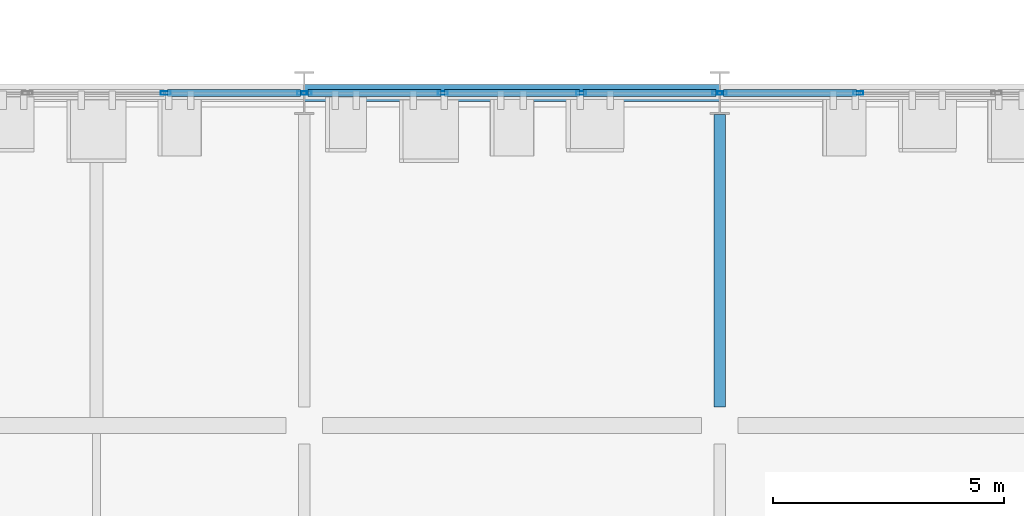
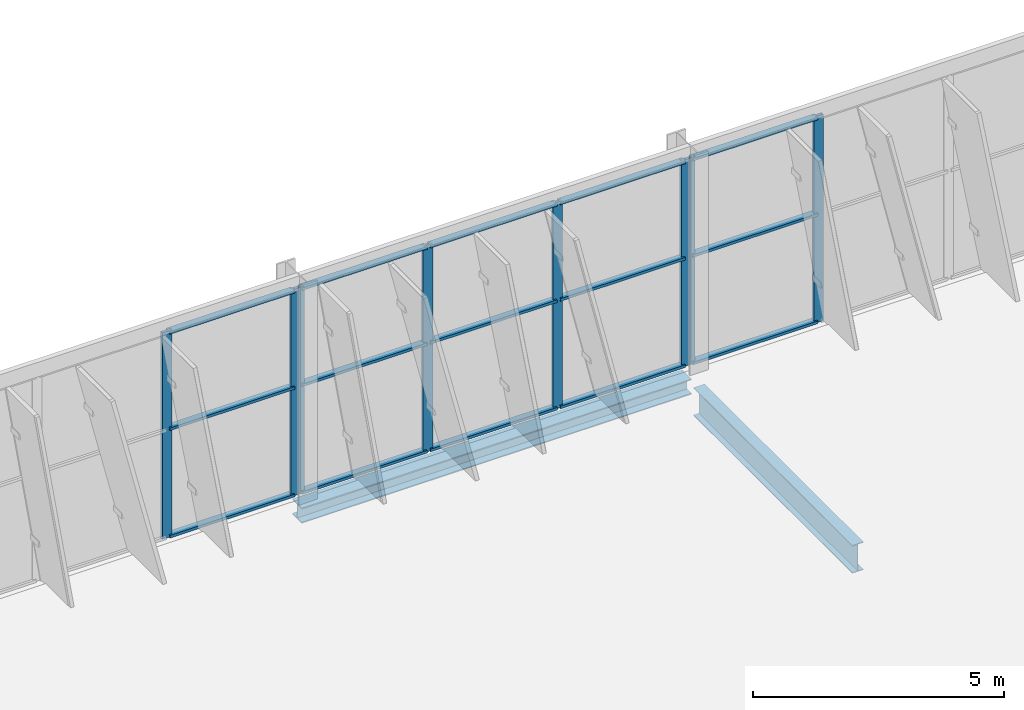
# One storey, part 29 of 189: 23 members, 2 beams, 3 elements without a shape of their own.
"""IFC4 building model written with IfcOpenShell, lengths in metres."""

from ifc_helpers import new_model, si_unit, direction, frame, origin, origin_2d, place, context, subcontext, project, spatial, hollow_rectangle, i_section, extrude, material, layer, layer_set, material_profile, profile_set, type_object, element, aggregate, save


model = new_model("IFC4")

# Units and contexts
model_context = context("Model", 3, precision=1e-05, world=origin(), true_north=direction((0.0, 1.0)))
body_context = subcontext(model_context, "Body", "Model", "MODEL_VIEW")
ifc_project = project(units=[si_unit("LENGTHUNIT", "METRE"), si_unit("AREAUNIT", "SQUARE_METRE"), si_unit("VOLUMEUNIT", "CUBIC_METRE"), si_unit("PLANEANGLEUNIT", "RADIAN"), si_unit("MASSUNIT", "GRAM", prefix="KILO")], contexts=[model_context])

# Site, building, storey
site_placement = place(None, origin())
site = spatial("IfcSite", under=ifc_project, at=site_placement, CompositionType="ELEMENT")
building_placement = place(site_placement, origin())
building = spatial("IfcBuilding", under=site, at=building_placement, Name="Celestram Park Convention Centre", CompositionType="ELEMENT")
storey_placement = place(building_placement, frame((0.0, 0.0, 5.39990234375)))
storey = spatial("IfcBuildingStorey", under=building, at=storey_placement, Name="L01", CompositionType="ELEMENT", Elevation=5.39990234375)

# Curtain wall, members
ifc_material_1 = material(Name="Anodised Aluminium Alloy 6063-T6", Category="aluminium")
ifc_layer = layer(ifc_material_1, 0.179931640625)
ifc_layer_set = layer_set([ifc_layer], Name="Anodised Aluminium Alloy 6063-T6")
curtain_wall_type = type_object("IfcCurtainWallType", Name="ARC-CW-898X503", PredefinedType="NOTDEFINED", material=ifc_layer_set)
curtain_wall_1_placement = place(storey_placement, origin())
curtain_wall_1 = element("IfcCurtainWall", 1, at=curtain_wall_1_placement, inside=storey, type_object=curtain_wall_type, Name="Unitised curtain wall CU-L01-128", PredefinedType="NOTDEFINED")
ifc_material_profile_1 = material_profile(ifc_material_1, hollow_rectangle(XDim=0.074951171875, YDim=0.219970703125, WallThickness=0.00390625, at=origin_2d()), Name="ALU75X220X4")
ifc_profile_set_1 = profile_set([ifc_material_profile_1], Name="Anodised Aluminium Alloy 6063-T6")
member_type_1 = type_object("IfcMemberType", Name="ARC-CWM-180", PredefinedType="MULLION", material=ifc_profile_set_1)
member_1_placement = place(storey_placement, frame((111.00341796875, 21.60009765625, 0.0), z_axis=(0.0, 0.0, 1.0), x_axis=(0.0, -1.0, 0.0)))
member_1 = element("IfcMember", 2, at=member_1_placement, type_object=member_type_1, Name="CW-89X50 mullion 3", PredefinedType="MULLION", context=body_context, shape_type="SweptSolid", body=[
    extrude(hollow_rectangle(XDim=0.074951171875, YDim=0.219970703125, WallThickness=0.00390625, at=origin_2d()), origin(), (0.0, 0.0, 1.0), 5.027099609375),
])
member_2_placement = place(storey_placement, frame((108.047607421875, 21.60009765625, 0.0), z_axis=(0.0, 0.0, 1.0), x_axis=(0.0, -1.0, 0.0)))
member_2 = element("IfcMember", 3, at=member_2_placement, type_object=member_type_1, Name="CW-89X50 mullion 4", PredefinedType="MULLION", context=body_context, shape_type="SweptSolid", body=[
    extrude(hollow_rectangle(XDim=0.074951171875, YDim=0.219970703125, WallThickness=0.00390625, at=origin_2d()), origin(), (0.0, 0.0, 1.0), 5.027099609375),
])

curtain_wall_2_placement = place(storey_placement, origin())
curtain_wall_2 = element("IfcCurtainWall", 4, at=curtain_wall_2_placement, inside=storey, type_object=curtain_wall_type, Name="Unitised curtain wall CU-L01-129", PredefinedType="NOTDEFINED")
member_3_placement = place(storey_placement, frame((107.952392578125, 21.60009765625, 0.0), z_axis=(0.0, 0.0, 1.0), x_axis=(0.0, -1.0, 0.0)))
member_3 = element("IfcMember", 5, at=member_3_placement, type_object=member_type_1, Name="CW-89X50 mullion 1", PredefinedType="MULLION", context=body_context, shape_type="SweptSolid", body=[
    extrude(hollow_rectangle(XDim=0.074951171875, YDim=0.219970703125, WallThickness=0.00390625, at=origin_2d()), origin(), (0.0, 0.0, 1.0), 5.027099609375),
])
member_4_placement = place(storey_placement, frame((104.99658203125, 21.60009765625, 0.0), z_axis=(0.0, 0.0, 1.0), x_axis=(0.0, -1.0, 0.0)))
member_4 = element("IfcMember", 6, at=member_4_placement, type_object=member_type_1, Name="CW-89X50 mullion 2", PredefinedType="MULLION", context=body_context, shape_type="SweptSolid", body=[
    extrude(hollow_rectangle(XDim=0.074951171875, YDim=0.219970703125, WallThickness=0.00390625, at=origin_2d()), origin(), (0.0, 0.0, 1.0), 5.027099609375),
])
member_5_placement = place(storey_placement, frame((102.00341796875, 21.60009765625, 0.0), z_axis=(0.0, 0.0, 1.0), x_axis=(0.0, -1.0, 0.0)))
member_5 = element("IfcMember", 7, at=member_5_placement, type_object=member_type_1, Name="CW-89X50 mullion 3", PredefinedType="MULLION", context=body_context, shape_type="SweptSolid", body=[
    extrude(hollow_rectangle(XDim=0.074951171875, YDim=0.219970703125, WallThickness=0.00390625, at=origin_2d()), origin(), (0.0, 0.0, 1.0), 5.027099609375),
])
member_6_placement = place(storey_placement, frame((99.047607421875, 21.60009765625, 0.0), z_axis=(0.0, 0.0, 1.0), x_axis=(0.0, -1.0, 0.0)))
member_6 = element("IfcMember", 8, at=member_6_placement, type_object=member_type_1, Name="CW-89X50 mullion 4", PredefinedType="MULLION", context=body_context, shape_type="SweptSolid", body=[
    extrude(hollow_rectangle(XDim=0.074951171875, YDim=0.219970703125, WallThickness=0.00390625, at=origin_2d()), origin(), (0.0, 0.0, 1.0), 5.027099609375),
])

curtain_wall_3_placement = place(storey_placement, origin())
curtain_wall_3 = element("IfcCurtainWall", 9, at=curtain_wall_3_placement, inside=storey, type_object=curtain_wall_type, Name="Unitised curtain wall CU-L01-130", PredefinedType="NOTDEFINED")
member_7_placement = place(storey_placement, frame((98.952392578125, 21.60009765625, 0.0), z_axis=(0.0, 0.0, 1.0), x_axis=(0.0, -1.0, 0.0)))
member_7 = element("IfcMember", 10, at=member_7_placement, type_object=member_type_1, Name="CW-89X50 mullion 1", PredefinedType="MULLION", context=body_context, shape_type="SweptSolid", body=[
    extrude(hollow_rectangle(XDim=0.074951171875, YDim=0.219970703125, WallThickness=0.00390625, at=origin_2d()), origin(), (0.0, 0.0, 1.0), 5.027099609375),
])
member_8_placement = place(storey_placement, frame((95.99658203125, 21.60009765625, 0.0), z_axis=(0.0, 0.0, 1.0), x_axis=(0.0, -1.0, 0.0)))
member_8 = element("IfcMember", 11, at=member_8_placement, type_object=member_type_1, Name="CW-89X50 mullion 2", PredefinedType="MULLION", context=body_context, shape_type="SweptSolid", body=[
    extrude(hollow_rectangle(XDim=0.074951171875, YDim=0.219970703125, WallThickness=0.00390625, at=origin_2d()), origin(), (0.0, 0.0, 1.0), 5.027099609375),
])

# Member
ifc_material_profile_2 = material_profile(ifc_material_1, hollow_rectangle(XDim=0.14990234375, YDim=0.06494140625, WallThickness=0.0029296875, at=origin_2d()), Name="ALU150X65X3")
ifc_profile_set_2 = profile_set([ifc_material_profile_2], Name="Anodised Aluminium Alloy 6063-T6")
member_type_2 = type_object("IfcMemberType", Name="ARC-CWT-150", PredefinedType="USERDEFINED", material=ifc_profile_set_2)
member_9_placement = place(storey_placement, frame((110.9658203125, 21.60009765625, 0.03271484375), z_axis=(-1.0, 0.0, 0.0), x_axis=(0.0, -1.0, 0.0)))
member_9 = element("IfcMember", 12, at=member_9_placement, type_object=member_type_2, Name="CW-89X50 transom 3.1", ObjectType="TRANSOM", PredefinedType="USERDEFINED", context=body_context, shape_type="SweptSolid", body=[
    extrude(hollow_rectangle(XDim=0.14990234375, YDim=0.06494140625, WallThickness=0.0029296875, at=origin_2d()), origin(), (0.0, 0.0, 1.0), 2.880859375),
])

member_10_placement = place(storey_placement, frame((110.9658203125, 21.60009765625, 2.650146484375), z_axis=(-1.0, 0.0, 0.0), x_axis=(0.0, -1.0, 0.0)))
member_10 = element("IfcMember", 13, at=member_10_placement, type_object=member_type_2, Name="CW-89X50 transom 3.2", ObjectType="TRANSOM", PredefinedType="USERDEFINED", context=body_context, shape_type="SweptSolid", body=[
    extrude(hollow_rectangle(XDim=0.14990234375, YDim=0.06494140625, WallThickness=0.0029296875, at=origin_2d()), origin(), (0.0, 0.0, 1.0), 2.880859375),
])

member_11_placement = place(storey_placement, frame((110.9658203125, 21.60009765625, 4.99462890625), z_axis=(-1.0, 0.0, 0.0), x_axis=(0.0, -1.0, 0.0)))
member_11 = element("IfcMember", 14, at=member_11_placement, type_object=member_type_2, Name="CW-89X50 transom 3.3", ObjectType="TRANSOM", PredefinedType="USERDEFINED", context=body_context, shape_type="SweptSolid", body=[
    extrude(hollow_rectangle(XDim=0.14990234375, YDim=0.06494140625, WallThickness=0.0029296875, at=origin_2d()), origin(), (0.0, 0.0, 1.0), 2.880859375),
])

aggregate(curtain_wall_1, [member_1, member_2, member_9, member_10, member_11])

member_12_placement = place(storey_placement, frame((107.9150390625, 21.60009765625, 0.03271484375), z_axis=(-1.0, 0.0, 0.0), x_axis=(0.0, -1.0, 0.0)))
member_12 = element("IfcMember", 15, at=member_12_placement, type_object=member_type_2, Name="CW-89X50 transom 1.1", ObjectType="TRANSOM", PredefinedType="USERDEFINED", context=body_context, shape_type="SweptSolid", body=[
    extrude(hollow_rectangle(XDim=0.14990234375, YDim=0.06494140625, WallThickness=0.0029296875, at=origin_2d()), origin(), (0.0, 0.0, 1.0), 2.880859375),
])

member_13_placement = place(storey_placement, frame((107.9150390625, 21.60009765625, 2.650146484375), z_axis=(-1.0, 0.0, 0.0), x_axis=(0.0, -1.0, 0.0)))
member_13 = element("IfcMember", 16, at=member_13_placement, type_object=member_type_2, Name="CW-89X50 transom 1.2", ObjectType="TRANSOM", PredefinedType="USERDEFINED", context=body_context, shape_type="SweptSolid", body=[
    extrude(hollow_rectangle(XDim=0.14990234375, YDim=0.06494140625, WallThickness=0.0029296875, at=origin_2d()), origin(), (0.0, 0.0, 1.0), 2.880859375),
])

member_14_placement = place(storey_placement, frame((107.9150390625, 21.60009765625, 4.99462890625), z_axis=(-1.0, 0.0, 0.0), x_axis=(0.0, -1.0, 0.0)))
member_14 = element("IfcMember", 17, at=member_14_placement, type_object=member_type_2, Name="CW-89X50 transom 1.3", ObjectType="TRANSOM", PredefinedType="USERDEFINED", context=body_context, shape_type="SweptSolid", body=[
    extrude(hollow_rectangle(XDim=0.14990234375, YDim=0.06494140625, WallThickness=0.0029296875, at=origin_2d()), origin(), (0.0, 0.0, 1.0), 2.880859375),
])

member_15_placement = place(storey_placement, frame((104.959228515625, 21.60009765625, 0.03271484375), z_axis=(-1.0, 0.0, 0.0), x_axis=(0.0, -1.0, 0.0)))
member_15 = element("IfcMember", 18, at=member_15_placement, type_object=member_type_2, Name="CW-89X50 transom 2.1", ObjectType="TRANSOM", PredefinedType="USERDEFINED", context=body_context, shape_type="SweptSolid", body=[
    extrude(hollow_rectangle(XDim=0.14990234375, YDim=0.06494140625, WallThickness=0.0029296875, at=origin_2d()), origin(), (0.0, 0.0, 1.0), 2.91845703125),
])

member_16_placement = place(storey_placement, frame((104.959228515625, 21.60009765625, 2.650146484375), z_axis=(-1.0, 0.0, 0.0), x_axis=(0.0, -1.0, 0.0)))
member_16 = element("IfcMember", 19, at=member_16_placement, type_object=member_type_2, Name="CW-89X50 transom 2.2", ObjectType="TRANSOM", PredefinedType="USERDEFINED", context=body_context, shape_type="SweptSolid", body=[
    extrude(hollow_rectangle(XDim=0.14990234375, YDim=0.06494140625, WallThickness=0.0029296875, at=origin_2d()), origin(), (0.0, 0.0, 1.0), 2.91845703125),
])

member_17_placement = place(storey_placement, frame((104.959228515625, 21.60009765625, 4.99462890625), z_axis=(-1.0, 0.0, 0.0), x_axis=(0.0, -1.0, 0.0)))
member_17 = element("IfcMember", 20, at=member_17_placement, type_object=member_type_2, Name="CW-89X50 transom 2.3", ObjectType="TRANSOM", PredefinedType="USERDEFINED", context=body_context, shape_type="SweptSolid", body=[
    extrude(hollow_rectangle(XDim=0.14990234375, YDim=0.06494140625, WallThickness=0.0029296875, at=origin_2d()), origin(), (0.0, 0.0, 1.0), 2.91845703125),
])

member_18_placement = place(storey_placement, frame((101.9658203125, 21.60009765625, 0.03271484375), z_axis=(-1.0, 0.0, 0.0), x_axis=(0.0, -1.0, 0.0)))
member_18 = element("IfcMember", 21, at=member_18_placement, type_object=member_type_2, Name="CW-89X50 transom 3.1", ObjectType="TRANSOM", PredefinedType="USERDEFINED", context=body_context, shape_type="SweptSolid", body=[
    extrude(hollow_rectangle(XDim=0.14990234375, YDim=0.06494140625, WallThickness=0.0029296875, at=origin_2d()), origin(), (0.0, 0.0, 1.0), 2.880859375),
])

member_19_placement = place(storey_placement, frame((101.9658203125, 21.60009765625, 2.650146484375), z_axis=(-1.0, 0.0, 0.0), x_axis=(0.0, -1.0, 0.0)))
member_19 = element("IfcMember", 22, at=member_19_placement, type_object=member_type_2, Name="CW-89X50 transom 3.2", ObjectType="TRANSOM", PredefinedType="USERDEFINED", context=body_context, shape_type="SweptSolid", body=[
    extrude(hollow_rectangle(XDim=0.14990234375, YDim=0.06494140625, WallThickness=0.0029296875, at=origin_2d()), origin(), (0.0, 0.0, 1.0), 2.880859375),
])

member_20_placement = place(storey_placement, frame((101.9658203125, 21.60009765625, 4.99462890625), z_axis=(-1.0, 0.0, 0.0), x_axis=(0.0, -1.0, 0.0)))
member_20 = element("IfcMember", 23, at=member_20_placement, type_object=member_type_2, Name="CW-89X50 transom 3.3", ObjectType="TRANSOM", PredefinedType="USERDEFINED", context=body_context, shape_type="SweptSolid", body=[
    extrude(hollow_rectangle(XDim=0.14990234375, YDim=0.06494140625, WallThickness=0.0029296875, at=origin_2d()), origin(), (0.0, 0.0, 1.0), 2.880859375),
])

aggregate(curtain_wall_2, [member_3, member_4, member_5, member_6, member_12, member_13, member_14, member_15, member_16, member_17, member_18, member_19, member_20])

member_21_placement = place(storey_placement, frame((98.9150390625, 21.60009765625, 0.03271484375), z_axis=(-1.0, 0.0, 0.0), x_axis=(0.0, -1.0, 0.0)))
member_21 = element("IfcMember", 24, at=member_21_placement, type_object=member_type_2, Name="CW-89X50 transom 1.1", ObjectType="TRANSOM", PredefinedType="USERDEFINED", context=body_context, shape_type="SweptSolid", body=[
    extrude(hollow_rectangle(XDim=0.14990234375, YDim=0.06494140625, WallThickness=0.0029296875, at=origin_2d()), origin(), (0.0, 0.0, 1.0), 2.880859375),
])

member_22_placement = place(storey_placement, frame((98.9150390625, 21.60009765625, 2.650146484375), z_axis=(-1.0, 0.0, 0.0), x_axis=(0.0, -1.0, 0.0)))
member_22 = element("IfcMember", 25, at=member_22_placement, type_object=member_type_2, Name="CW-89X50 transom 1.2", ObjectType="TRANSOM", PredefinedType="USERDEFINED", context=body_context, shape_type="SweptSolid", body=[
    extrude(hollow_rectangle(XDim=0.14990234375, YDim=0.06494140625, WallThickness=0.0029296875, at=origin_2d()), origin(), (0.0, 0.0, 1.0), 2.880859375),
])

member_23_placement = place(storey_placement, frame((98.9150390625, 21.60009765625, 4.99462890625), z_axis=(-1.0, 0.0, 0.0), x_axis=(0.0, -1.0, 0.0)))
member_23 = element("IfcMember", 26, at=member_23_placement, type_object=member_type_2, Name="CW-89X50 transom 1.3", ObjectType="TRANSOM", PredefinedType="USERDEFINED", context=body_context, shape_type="SweptSolid", body=[
    extrude(hollow_rectangle(XDim=0.14990234375, YDim=0.06494140625, WallThickness=0.0029296875, at=origin_2d()), origin(), (0.0, 0.0, 1.0), 2.880859375),
])

aggregate(curtain_wall_3, [member_7, member_8, member_21, member_22, member_23])

# Beams
ifc_material_2 = material(Name="Steel ASTM A992 Grade 50", Category="steel")
ifc_material_profile_3 = material_profile(ifc_material_2, i_section(OverallWidth=0.25390625, OverallDepth=0.68310546875, WebThickness=0.012451171875, FlangeThickness=0.01904296875, at=origin_2d()), Name="W27X94")
ifc_profile_set_3 = profile_set([ifc_material_profile_3], Name="Steel ASTM A992 Grade 50")
beam_type_1 = type_object("IfcBeamType", Name="STR-BM-W27X94", PredefinedType="BEAM", material=ifc_profile_set_3)
beam_1_placement = place(storey_placement, frame((108.0, 14.798095703125, -0.581298828125), z_axis=(0.0, 1.0, 0.0), x_axis=(-1.0, 0.0, 0.0)))
element("IfcBeam", 27, at=beam_1_placement, inside=storey, type_object=beam_type_1, Name="Primary Y-girder BG-L01-0213", PredefinedType="BEAM", context=body_context, shape_type="SweptSolid", body=[
    extrude(i_section(OverallWidth=0.25390625, OverallDepth=0.68310546875, WebThickness=0.012451171875, FlangeThickness=0.01904296875, at=origin_2d()), origin(), (0.0, 0.0, 1.0), 6.337890625),
])
ifc_material_profile_4 = material_profile(ifc_material_2, i_section(OverallWidth=0.373046875, OverallDepth=0.373046875, WebThickness=0.016357421875, FlangeThickness=0.026123046875, at=origin_2d()), Name="W14X132")
ifc_profile_set_4 = profile_set([ifc_material_profile_4], Name="Steel ASTM A992 Grade 50")
beam_type_2 = type_object("IfcBeamType", Name="STR-SPN-W14X132", PredefinedType="SPANDREL", material=ifc_profile_set_4)
beam_2_placement = place(storey_placement, frame((99.010009765625, 21.60009765625, -0.426513671875), z_axis=(1.0, 0.0, 0.0), x_axis=(0.0, 1.0, 0.0)))
element("IfcBeam", 28, at=beam_2_placement, inside=storey, type_object=beam_type_2, Name="Primary X-girder BG-L01-0191", PredefinedType="SPANDREL", context=body_context, shape_type="SweptSolid", body=[
    extrude(i_section(OverallWidth=0.373046875, OverallDepth=0.373046875, WebThickness=0.016357421875, FlangeThickness=0.026123046875, at=origin_2d()), origin(), (0.0, 0.0, 1.0), 8.97998046875),
])

save(model, "model.ifc")
